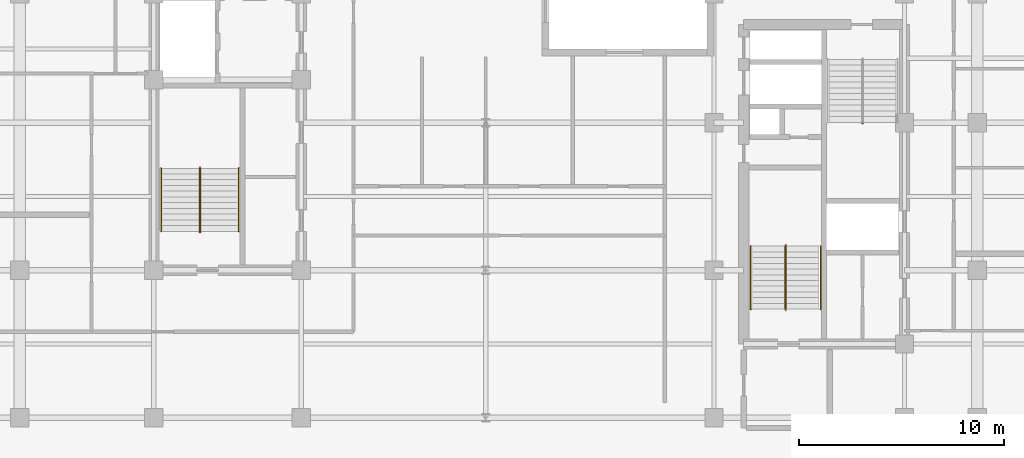
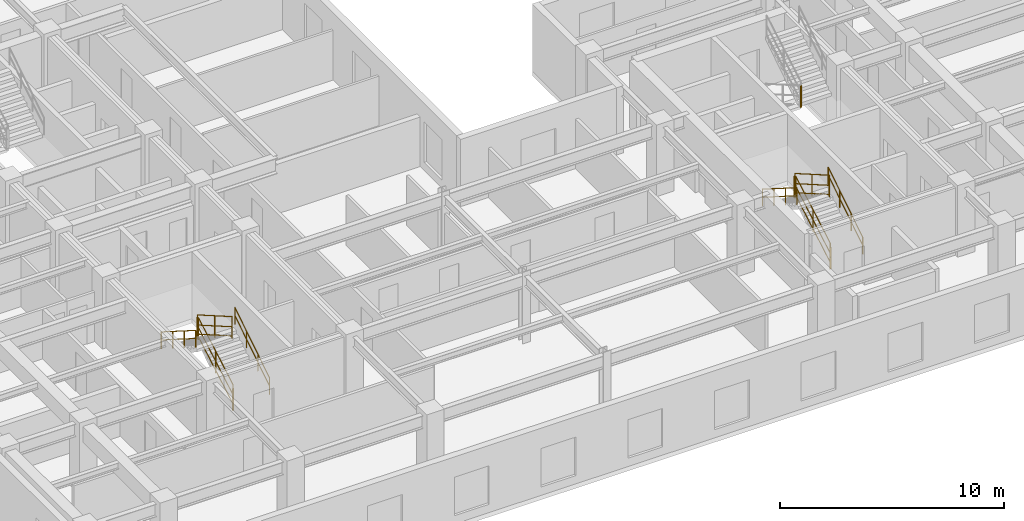
# One storey, part 9 of 11: 13 railings.
"""IFC4 building model written with IfcOpenShell, lengths in metres."""

from ifc_helpers import new_model, entity, si_unit, converted_unit, direction, frame, origin_with_axes, origin_2d_with_axis, place, context, subcontext, project, spatial, rectangle, circle, extrude, material, type_object, element, save


model = new_model("IFC4")

# Units and contexts
model_context = context("Model", 3, precision=1e-05, world=origin_with_axes(), true_north=direction((0.0, 1.0)))
body_context = subcontext(model_context, "Body", "Model", "MODEL_VIEW")
ifc_project = project(units=[si_unit("LENGTHUNIT", "METRE"), si_unit("AREAUNIT", "SQUARE_METRE"), si_unit("VOLUMEUNIT", "CUBIC_METRE"), converted_unit("PLANEANGLEUNIT", "DEGREE", entity("IfcPlaneAngleMeasure", 0.017453292519943295), si_unit("PLANEANGLEUNIT", "RADIAN"), dimensions=[0, 0, 0, 0, 0, 0, 0]), si_unit("MASSUNIT", "GRAM", prefix="KILO"), si_unit("THERMODYNAMICTEMPERATUREUNIT", "KELVIN")], contexts=[model_context])

# Site, building, storey
site_placement = place(None, origin_with_axes())
site = spatial("IfcSite", under=ifc_project, at=site_placement, CompositionType="ELEMENT")
building_placement = place(site_placement, origin_with_axes())
building = spatial("IfcBuilding", under=site, at=building_placement, Name="Varnlund Millrace Tower", CompositionType="ELEMENT")
storey_placement = place(building_placement, frame((0.0, 0.0, 208.2), z_axis=(0.0, 0.0, 1.0), x_axis=(1.0, 0.0, 0.0)))
storey = spatial("IfcBuildingStorey", under=building, at=storey_placement, Name="L51", CompositionType="ELEMENT", Elevation=208.2)

# Railings
ifc_material_1 = material(Name="Painted steel stair well balustrade guard", Category="steel")
railing_type_1 = type_object("IfcRailingType", Name="Type-StairGuard-1150", PredefinedType="GUARDRAIL", material=ifc_material_1)
railing_1_placement = place(storey_placement, frame((0.0, 0.0, -208.2), z_axis=(0.0, 0.0, 1.0), x_axis=(1.0, 0.0, 0.0)))
element("IfcRailing", 1, at=railing_1_placement, inside=storey, type_object=railing_type_1, Name="Type-StairGuard-1150", PredefinedType="GUARDRAIL", context=body_context, shape_type="SweptSolid", body=[
    extrude(circle(Radius=0.024, at=origin_2d_with_axis()), frame((13.675, 12.7, 209.527273), z_axis=(0.0, 0.866696, 0.498836), x_axis=(-1.0, 0.0, 0.0)), (0.0, 0.0, 1.0), 3.553725),
    extrude(circle(Radius=0.024, at=origin_2d_with_axis()), frame((13.675, 12.7, 208.477273), z_axis=(0.0, 0.866696, 0.498836), x_axis=(-1.0, 0.0, 0.0)), (0.0, 0.0, 1.0), 3.553725),
    extrude(circle(Radius=0.024, at=origin_2d_with_axis()), frame((13.675, 12.7, 208.975273), z_axis=(0.0, 0.866696, 0.498836), x_axis=(-1.0, 0.0, 0.0)), (0.0, 0.0, 1.0), 3.553725),
    extrude(rectangle(XDim=0.04, YDim=0.04, at=origin_2d_with_axis()), frame((13.675, 12.7, 208.337273), z_axis=(0.0, 0.0, 1.0), x_axis=(1.0, 0.0, 0.0)), (0.0, 0.0, 1.0), 1.19),
    extrude(rectangle(XDim=0.04, YDim=0.04, at=origin_2d_with_axis()), frame((13.675, 14.24, 209.223637), z_axis=(0.0, 0.0, 1.0), x_axis=(1.0, 0.0, 0.0)), (0.0, 0.0, 1.0), 1.19),
    extrude(rectangle(XDim=0.04, YDim=0.04, at=origin_2d_with_axis()), frame((13.675, 15.78, 210.11), z_axis=(0.0, 0.0, 1.0), x_axis=(1.0, 0.0, 0.0)), (0.0, 0.0, 1.0), 1.19),
])
railing_2_placement = place(storey_placement, frame((0.0, 0.0, -208.2), z_axis=(0.0, 0.0, 1.0), x_axis=(1.0, 0.0, 0.0)))
element("IfcRailing", 2, at=railing_2_placement, inside=storey, type_object=railing_type_1, Name="Type-StairGuard-1150", PredefinedType="GUARDRAIL", context=body_context, shape_type="SweptSolid", body=[
    extrude(circle(Radius=0.024, at=origin_2d_with_axis()), frame((13.625, 15.83, 211.3), z_axis=(1.0, 0.0, 0.0), x_axis=(0.0, 1.0, 0.0)), (0.0, 0.0, 1.0), 0.05),
    extrude(circle(Radius=0.024, at=origin_2d_with_axis()), frame((13.625, 15.83, 210.25), z_axis=(1.0, 0.0, 0.0), x_axis=(0.0, 1.0, 0.0)), (0.0, 0.0, 1.0), 0.05),
    extrude(circle(Radius=0.024, at=origin_2d_with_axis()), frame((13.625, 15.83, 210.748), z_axis=(1.0, 0.0, 0.0), x_axis=(0.0, 1.0, 0.0)), (0.0, 0.0, 1.0), 0.05),
    extrude(rectangle(XDim=0.04, YDim=0.04, at=origin_2d_with_axis()), frame((13.625, 15.83, 210.11), z_axis=(0.0, 0.0, 1.0), x_axis=(1.0, 0.0, 0.0)), (0.0, 0.0, 1.0), 1.19),
    extrude(rectangle(XDim=0.04, YDim=0.04, at=origin_2d_with_axis()), frame((13.675, 15.83, 210.11), z_axis=(0.0, 0.0, 1.0), x_axis=(1.0, 0.0, 0.0)), (0.0, 0.0, 1.0), 1.19),
])
railing_3_placement = place(storey_placement, frame((0.0, 0.0, -208.2), z_axis=(0.0, 0.0, 1.0), x_axis=(1.0, 0.0, 0.0)))
element("IfcRailing", 3, at=railing_3_placement, inside=storey, type_object=railing_type_1, Name="Type-StairGuard-1150", PredefinedType="GUARDRAIL", context=body_context, shape_type="SweptSolid", body=[
    extrude(circle(Radius=0.024, at=origin_2d_with_axis()), frame((13.625, 15.78, 211.477273), z_axis=(0.0, -0.866696, 0.498836), x_axis=(1.0, 0.0, 0.0)), (0.0, 0.0, 1.0), 3.553725),
    extrude(circle(Radius=0.024, at=origin_2d_with_axis()), frame((13.625, 15.78, 210.427273), z_axis=(0.0, -0.866696, 0.498836), x_axis=(1.0, 0.0, 0.0)), (0.0, 0.0, 1.0), 3.553725),
    extrude(circle(Radius=0.024, at=origin_2d_with_axis()), frame((13.625, 15.78, 210.925273), z_axis=(0.0, -0.866696, 0.498836), x_axis=(1.0, 0.0, 0.0)), (0.0, 0.0, 1.0), 3.553725),
    extrude(rectangle(XDim=0.04, YDim=0.04, at=origin_2d_with_axis()), frame((13.625, 15.78, 210.287273), z_axis=(0.0, 0.0, 1.0), x_axis=(1.0, 0.0, 0.0)), (0.0, 0.0, 1.0), 1.19),
    extrude(rectangle(XDim=0.04, YDim=0.04, at=origin_2d_with_axis()), frame((13.625, 14.24, 211.173637), z_axis=(0.0, 0.0, 1.0), x_axis=(1.0, 0.0, 0.0)), (0.0, 0.0, 1.0), 1.19),
    extrude(rectangle(XDim=0.04, YDim=0.04, at=origin_2d_with_axis()), frame((13.625, 12.7, 212.06), z_axis=(0.0, 0.0, 1.0), x_axis=(1.0, 0.0, 0.0)), (0.0, 0.0, 1.0), 1.19),
])
railing_4_placement = place(storey_placement, frame((0.0, 0.0, -208.2), z_axis=(0.0, 0.0, 1.0), x_axis=(1.0, 0.0, 0.0)))
element("IfcRailing", 4, at=railing_4_placement, inside=storey, type_object=railing_type_1, Name="Type-StairGuard-1150", PredefinedType="GUARDRAIL", context=body_context, shape_type="SweptSolid", body=[
    extrude(circle(Radius=0.024, at=origin_2d_with_axis()), frame((13.625, 12.65, 209.35), z_axis=(1.0, 0.0, 0.0), x_axis=(0.0, 1.0, 0.0)), (0.0, 0.0, 1.0), 0.05),
    extrude(circle(Radius=0.024, at=origin_2d_with_axis()), frame((13.625, 12.65, 208.3), z_axis=(1.0, 0.0, 0.0), x_axis=(0.0, 1.0, 0.0)), (0.0, 0.0, 1.0), 0.05),
    extrude(circle(Radius=0.024, at=origin_2d_with_axis()), frame((13.625, 12.65, 208.798), z_axis=(1.0, 0.0, 0.0), x_axis=(0.0, 1.0, 0.0)), (0.0, 0.0, 1.0), 0.05),
    extrude(rectangle(XDim=0.04, YDim=0.04, at=origin_2d_with_axis()), frame((13.625, 12.65, 208.16), z_axis=(0.0, 0.0, 1.0), x_axis=(1.0, 0.0, 0.0)), (0.0, 0.0, 1.0), 1.19),
    extrude(rectangle(XDim=0.04, YDim=0.04, at=origin_2d_with_axis()), frame((13.675, 12.65, 208.16), z_axis=(0.0, 0.0, 1.0), x_axis=(1.0, 0.0, 0.0)), (0.0, 0.0, 1.0), 1.19),
])
railing_5_placement = place(storey_placement, frame((0.0, 0.0, -208.2), z_axis=(0.0, 0.0, 1.0), x_axis=(1.0, 0.0, 0.0)))
element("IfcRailing", 5, at=railing_5_placement, inside=storey, type_object=railing_type_1, Name="Type-StairGuard-1150", PredefinedType="GUARDRAIL", context=body_context, shape_type="SweptSolid", body=[
    extrude(circle(Radius=0.024, at=origin_2d_with_axis()), frame((42.275, 8.9, 209.527273), z_axis=(0.0, 0.866696, 0.498836), x_axis=(-1.0, 0.0, 0.0)), (0.0, 0.0, 1.0), 3.553725),
    extrude(circle(Radius=0.024, at=origin_2d_with_axis()), frame((42.275, 8.9, 208.477273), z_axis=(0.0, 0.866696, 0.498836), x_axis=(-1.0, 0.0, 0.0)), (0.0, 0.0, 1.0), 3.553725),
    extrude(circle(Radius=0.024, at=origin_2d_with_axis()), frame((42.275, 8.9, 208.975273), z_axis=(0.0, 0.866696, 0.498836), x_axis=(-1.0, 0.0, 0.0)), (0.0, 0.0, 1.0), 3.553725),
    extrude(rectangle(XDim=0.04, YDim=0.04, at=origin_2d_with_axis()), frame((42.275, 8.9, 208.337273), z_axis=(0.0, 0.0, 1.0), x_axis=(1.0, 0.0, 0.0)), (0.0, 0.0, 1.0), 1.19),
    extrude(rectangle(XDim=0.04, YDim=0.04, at=origin_2d_with_axis()), frame((42.275, 10.44, 209.223637), z_axis=(0.0, 0.0, 1.0), x_axis=(1.0, 0.0, 0.0)), (0.0, 0.0, 1.0), 1.19),
    extrude(rectangle(XDim=0.04, YDim=0.04, at=origin_2d_with_axis()), frame((42.275, 11.98, 210.11), z_axis=(0.0, 0.0, 1.0), x_axis=(1.0, 0.0, 0.0)), (0.0, 0.0, 1.0), 1.19),
])
railing_6_placement = place(storey_placement, frame((0.0, 0.0, -208.2), z_axis=(0.0, 0.0, 1.0), x_axis=(1.0, 0.0, 0.0)))
element("IfcRailing", 6, at=railing_6_placement, inside=storey, type_object=railing_type_1, Name="Type-StairGuard-1150", PredefinedType="GUARDRAIL", context=body_context, shape_type="SweptSolid", body=[
    extrude(circle(Radius=0.024, at=origin_2d_with_axis()), frame((42.225, 12.03, 211.3), z_axis=(1.0, 0.0, 0.0), x_axis=(0.0, 1.0, 0.0)), (0.0, 0.0, 1.0), 0.05),
    extrude(circle(Radius=0.024, at=origin_2d_with_axis()), frame((42.225, 12.03, 210.25), z_axis=(1.0, 0.0, 0.0), x_axis=(0.0, 1.0, 0.0)), (0.0, 0.0, 1.0), 0.05),
    extrude(circle(Radius=0.024, at=origin_2d_with_axis()), frame((42.225, 12.03, 210.748), z_axis=(1.0, 0.0, 0.0), x_axis=(0.0, 1.0, 0.0)), (0.0, 0.0, 1.0), 0.05),
    extrude(rectangle(XDim=0.04, YDim=0.04, at=origin_2d_with_axis()), frame((42.225, 12.03, 210.11), z_axis=(0.0, 0.0, 1.0), x_axis=(1.0, 0.0, 0.0)), (0.0, 0.0, 1.0), 1.19),
    extrude(rectangle(XDim=0.04, YDim=0.04, at=origin_2d_with_axis()), frame((42.275, 12.03, 210.11), z_axis=(0.0, 0.0, 1.0), x_axis=(1.0, 0.0, 0.0)), (0.0, 0.0, 1.0), 1.19),
])
railing_7_placement = place(storey_placement, frame((0.0, 0.0, -208.2), z_axis=(0.0, 0.0, 1.0), x_axis=(1.0, 0.0, 0.0)))
element("IfcRailing", 7, at=railing_7_placement, inside=storey, type_object=railing_type_1, Name="Type-StairGuard-1150", PredefinedType="GUARDRAIL", context=body_context, shape_type="SweptSolid", body=[
    extrude(circle(Radius=0.024, at=origin_2d_with_axis()), frame((42.225, 11.98, 211.477273), z_axis=(0.0, -0.866696, 0.498836), x_axis=(1.0, 0.0, 0.0)), (0.0, 0.0, 1.0), 3.553725),
    extrude(circle(Radius=0.024, at=origin_2d_with_axis()), frame((42.225, 11.98, 210.427273), z_axis=(0.0, -0.866696, 0.498836), x_axis=(1.0, 0.0, 0.0)), (0.0, 0.0, 1.0), 3.553725),
    extrude(circle(Radius=0.024, at=origin_2d_with_axis()), frame((42.225, 11.98, 210.925273), z_axis=(0.0, -0.866696, 0.498836), x_axis=(1.0, 0.0, 0.0)), (0.0, 0.0, 1.0), 3.553725),
    extrude(rectangle(XDim=0.04, YDim=0.04, at=origin_2d_with_axis()), frame((42.225, 11.98, 210.287273), z_axis=(0.0, 0.0, 1.0), x_axis=(1.0, 0.0, 0.0)), (0.0, 0.0, 1.0), 1.19),
    extrude(rectangle(XDim=0.04, YDim=0.04, at=origin_2d_with_axis()), frame((42.225, 10.44, 211.173637), z_axis=(0.0, 0.0, 1.0), x_axis=(1.0, 0.0, 0.0)), (0.0, 0.0, 1.0), 1.19),
    extrude(rectangle(XDim=0.04, YDim=0.04, at=origin_2d_with_axis()), frame((42.225, 8.9, 212.06), z_axis=(0.0, 0.0, 1.0), x_axis=(1.0, 0.0, 0.0)), (0.0, 0.0, 1.0), 1.19),
])
railing_8_placement = place(storey_placement, frame((0.0, 0.0, -208.2), z_axis=(0.0, 0.0, 1.0), x_axis=(1.0, 0.0, 0.0)))
element("IfcRailing", 8, at=railing_8_placement, inside=storey, type_object=railing_type_1, Name="Type-StairGuard-1150", PredefinedType="GUARDRAIL", context=body_context, shape_type="SweptSolid", body=[
    extrude(circle(Radius=0.024, at=origin_2d_with_axis()), frame((42.225, 8.85, 209.35), z_axis=(1.0, 0.0, 0.0), x_axis=(0.0, 1.0, 0.0)), (0.0, 0.0, 1.0), 0.05),
    extrude(circle(Radius=0.024, at=origin_2d_with_axis()), frame((42.225, 8.85, 208.3), z_axis=(1.0, 0.0, 0.0), x_axis=(0.0, 1.0, 0.0)), (0.0, 0.0, 1.0), 0.05),
    extrude(circle(Radius=0.024, at=origin_2d_with_axis()), frame((42.225, 8.85, 208.798), z_axis=(1.0, 0.0, 0.0), x_axis=(0.0, 1.0, 0.0)), (0.0, 0.0, 1.0), 0.05),
    extrude(rectangle(XDim=0.04, YDim=0.04, at=origin_2d_with_axis()), frame((42.225, 8.85, 208.16), z_axis=(0.0, 0.0, 1.0), x_axis=(1.0, 0.0, 0.0)), (0.0, 0.0, 1.0), 1.19),
    extrude(rectangle(XDim=0.04, YDim=0.04, at=origin_2d_with_axis()), frame((42.275, 8.85, 208.16), z_axis=(0.0, 0.0, 1.0), x_axis=(1.0, 0.0, 0.0)), (0.0, 0.0, 1.0), 1.19),
])
railing_9_placement = place(storey_placement, frame((0.0, 0.0, -208.2), z_axis=(0.0, 0.0, 1.0), x_axis=(1.0, 0.0, 0.0)))
element("IfcRailing", 9, at=railing_9_placement, inside=storey, type_object=railing_type_1, Name="Type-StairGuard-1150", PredefinedType="GUARDRAIL", context=body_context, shape_type="SweptSolid", body=[
    extrude(circle(Radius=0.024, at=origin_2d_with_axis()), frame((46.025, 17.97, 211.3), z_axis=(-1.0, 0.0, 0.0), x_axis=(0.0, -1.0, 0.0)), (0.0, 0.0, 1.0), 0.05),
    extrude(circle(Radius=0.024, at=origin_2d_with_axis()), frame((46.025, 17.97, 210.25), z_axis=(-1.0, 0.0, 0.0), x_axis=(0.0, -1.0, 0.0)), (0.0, 0.0, 1.0), 0.05),
    extrude(circle(Radius=0.024, at=origin_2d_with_axis()), frame((46.025, 17.97, 210.748), z_axis=(-1.0, 0.0, 0.0), x_axis=(0.0, -1.0, 0.0)), (0.0, 0.0, 1.0), 0.05),
    extrude(rectangle(XDim=0.04, YDim=0.04, at=origin_2d_with_axis()), frame((46.025, 17.97, 210.11), z_axis=(0.0, 0.0, 1.0), x_axis=(1.0, 0.0, 0.0)), (0.0, 0.0, 1.0), 1.19),
    extrude(rectangle(XDim=0.04, YDim=0.04, at=origin_2d_with_axis()), frame((45.975, 17.97, 210.11), z_axis=(0.0, 0.0, 1.0), x_axis=(1.0, 0.0, 0.0)), (0.0, 0.0, 1.0), 1.19),
])
ifc_material_2 = material(Name="Brushed architectural bronze stair handrail", Category="aluminium")
railing_type_2 = type_object("IfcRailingType", Name="Type-StairHandrail-900", PredefinedType="HANDRAIL", material=ifc_material_2)
railing_10_placement = place(storey_placement, frame((0.0, 0.0, -208.2), z_axis=(0.0, 0.0, 1.0), x_axis=(1.0, 0.0, 0.0)))
element("IfcRailing", 10, at=railing_10_placement, inside=storey, type_object=railing_type_2, Name="Type-StairHandrail-900", PredefinedType="HANDRAIL", context=body_context, shape_type="SweptSolid", body=[
    extrude(circle(Radius=0.024, at=origin_2d_with_axis()), frame((15.55, 12.7, 209.256995), z_axis=(0.0, 0.844902, 0.534922), x_axis=(-1.0, 0.0, 0.0)), (0.0, 0.0, 1.0), 3.645394),
    extrude(circle(Radius=0.024, at=origin_2d_with_axis()), frame((15.55, 12.7, 208.817134), z_axis=(0.0, 0.844902, 0.534922), x_axis=(-1.0, 0.0, 0.0)), (0.0, 0.0, 1.0), 3.645394),
    extrude(rectangle(XDim=0.04, YDim=0.04, at=origin_2d_with_axis()), frame((15.55, 12.7, 208.337273), z_axis=(0.0, 0.0, 1.0), x_axis=(1.0, 0.0, 0.0)), (0.0, 0.0, 1.0), 0.919722),
    extrude(rectangle(XDim=0.04, YDim=0.04, at=origin_2d_with_axis()), frame((15.55, 13.726667, 208.987273), z_axis=(0.0, 0.0, 1.0), x_axis=(1.0, 0.0, 0.0)), (0.0, 0.0, 1.0), 0.919722),
    extrude(rectangle(XDim=0.04, YDim=0.04, at=origin_2d_with_axis()), frame((15.55, 14.753333, 209.637273), z_axis=(0.0, 0.0, 1.0), x_axis=(1.0, 0.0, 0.0)), (0.0, 0.0, 1.0), 0.919722),
    extrude(rectangle(XDim=0.04, YDim=0.04, at=origin_2d_with_axis()), frame((15.55, 15.78, 210.287273), z_axis=(0.0, 0.0, 1.0), x_axis=(1.0, 0.0, 0.0)), (0.0, 0.0, 1.0), 0.919722),
])
railing_11_placement = place(storey_placement, frame((0.0, 0.0, -208.2), z_axis=(0.0, 0.0, 1.0), x_axis=(1.0, 0.0, 0.0)))
element("IfcRailing", 11, at=railing_11_placement, inside=storey, type_object=railing_type_2, Name="Type-StairHandrail-900", PredefinedType="HANDRAIL", context=body_context, shape_type="SweptSolid", body=[
    extrude(circle(Radius=0.024, at=origin_2d_with_axis()), frame((11.75, 15.78, 211.206995), z_axis=(0.0, -0.844902, 0.534922), x_axis=(1.0, 0.0, 0.0)), (0.0, 0.0, 1.0), 3.645394),
    extrude(circle(Radius=0.024, at=origin_2d_with_axis()), frame((11.75, 15.78, 210.767134), z_axis=(0.0, -0.844902, 0.534922), x_axis=(1.0, 0.0, 0.0)), (0.0, 0.0, 1.0), 3.645394),
    extrude(rectangle(XDim=0.04, YDim=0.04, at=origin_2d_with_axis()), frame((11.75, 15.78, 210.287273), z_axis=(0.0, 0.0, 1.0), x_axis=(1.0, 0.0, 0.0)), (0.0, 0.0, 1.0), 0.919722),
    extrude(rectangle(XDim=0.04, YDim=0.04, at=origin_2d_with_axis()), frame((11.75, 14.753333, 210.937273), z_axis=(0.0, 0.0, 1.0), x_axis=(1.0, 0.0, 0.0)), (0.0, 0.0, 1.0), 0.919722),
    extrude(rectangle(XDim=0.04, YDim=0.04, at=origin_2d_with_axis()), frame((11.75, 13.726667, 211.587273), z_axis=(0.0, 0.0, 1.0), x_axis=(1.0, 0.0, 0.0)), (0.0, 0.0, 1.0), 0.919722),
    extrude(rectangle(XDim=0.04, YDim=0.04, at=origin_2d_with_axis()), frame((11.75, 12.7, 212.237273), z_axis=(0.0, 0.0, 1.0), x_axis=(1.0, 0.0, 0.0)), (0.0, 0.0, 1.0), 0.919722),
])
railing_12_placement = place(storey_placement, frame((0.0, 0.0, -208.2), z_axis=(0.0, 0.0, 1.0), x_axis=(1.0, 0.0, 0.0)))
element("IfcRailing", 12, at=railing_12_placement, inside=storey, type_object=railing_type_2, Name="Type-StairHandrail-900", PredefinedType="HANDRAIL", context=body_context, shape_type="SweptSolid", body=[
    extrude(circle(Radius=0.024, at=origin_2d_with_axis()), frame((43.95, 8.9, 209.256995), z_axis=(0.0, 0.844902, 0.534922), x_axis=(-1.0, 0.0, 0.0)), (0.0, 0.0, 1.0), 3.645394),
    extrude(circle(Radius=0.024, at=origin_2d_with_axis()), frame((43.95, 8.9, 208.817134), z_axis=(0.0, 0.844902, 0.534922), x_axis=(-1.0, 0.0, 0.0)), (0.0, 0.0, 1.0), 3.645394),
    extrude(rectangle(XDim=0.04, YDim=0.04, at=origin_2d_with_axis()), frame((43.95, 8.9, 208.337273), z_axis=(0.0, 0.0, 1.0), x_axis=(1.0, 0.0, 0.0)), (0.0, 0.0, 1.0), 0.919722),
    extrude(rectangle(XDim=0.04, YDim=0.04, at=origin_2d_with_axis()), frame((43.95, 9.926667, 208.987273), z_axis=(0.0, 0.0, 1.0), x_axis=(1.0, 0.0, 0.0)), (0.0, 0.0, 1.0), 0.919722),
    extrude(rectangle(XDim=0.04, YDim=0.04, at=origin_2d_with_axis()), frame((43.95, 10.953333, 209.637273), z_axis=(0.0, 0.0, 1.0), x_axis=(1.0, 0.0, 0.0)), (0.0, 0.0, 1.0), 0.919722),
    extrude(rectangle(XDim=0.04, YDim=0.04, at=origin_2d_with_axis()), frame((43.95, 11.98, 210.287273), z_axis=(0.0, 0.0, 1.0), x_axis=(1.0, 0.0, 0.0)), (0.0, 0.0, 1.0), 0.919722),
])
railing_13_placement = place(storey_placement, frame((0.0, 0.0, -208.2), z_axis=(0.0, 0.0, 1.0), x_axis=(1.0, 0.0, 0.0)))
element("IfcRailing", 13, at=railing_13_placement, inside=storey, type_object=railing_type_2, Name="Type-StairHandrail-900", PredefinedType="HANDRAIL", context=body_context, shape_type="SweptSolid", body=[
    extrude(circle(Radius=0.024, at=origin_2d_with_axis()), frame((40.55, 11.98, 211.206995), z_axis=(0.0, -0.844902, 0.534922), x_axis=(1.0, 0.0, 0.0)), (0.0, 0.0, 1.0), 3.645394),
    extrude(circle(Radius=0.024, at=origin_2d_with_axis()), frame((40.55, 11.98, 210.767134), z_axis=(0.0, -0.844902, 0.534922), x_axis=(1.0, 0.0, 0.0)), (0.0, 0.0, 1.0), 3.645394),
    extrude(rectangle(XDim=0.04, YDim=0.04, at=origin_2d_with_axis()), frame((40.55, 11.98, 210.287273), z_axis=(0.0, 0.0, 1.0), x_axis=(1.0, 0.0, 0.0)), (0.0, 0.0, 1.0), 0.919722),
    extrude(rectangle(XDim=0.04, YDim=0.04, at=origin_2d_with_axis()), frame((40.55, 10.953333, 210.937273), z_axis=(0.0, 0.0, 1.0), x_axis=(1.0, 0.0, 0.0)), (0.0, 0.0, 1.0), 0.919722),
    extrude(rectangle(XDim=0.04, YDim=0.04, at=origin_2d_with_axis()), frame((40.55, 9.926667, 211.587273), z_axis=(0.0, 0.0, 1.0), x_axis=(1.0, 0.0, 0.0)), (0.0, 0.0, 1.0), 0.919722),
    extrude(rectangle(XDim=0.04, YDim=0.04, at=origin_2d_with_axis()), frame((40.55, 8.9, 212.237273), z_axis=(0.0, 0.0, 1.0), x_axis=(1.0, 0.0, 0.0)), (0.0, 0.0, 1.0), 0.919722),
])

save(model, "model.ifc")
